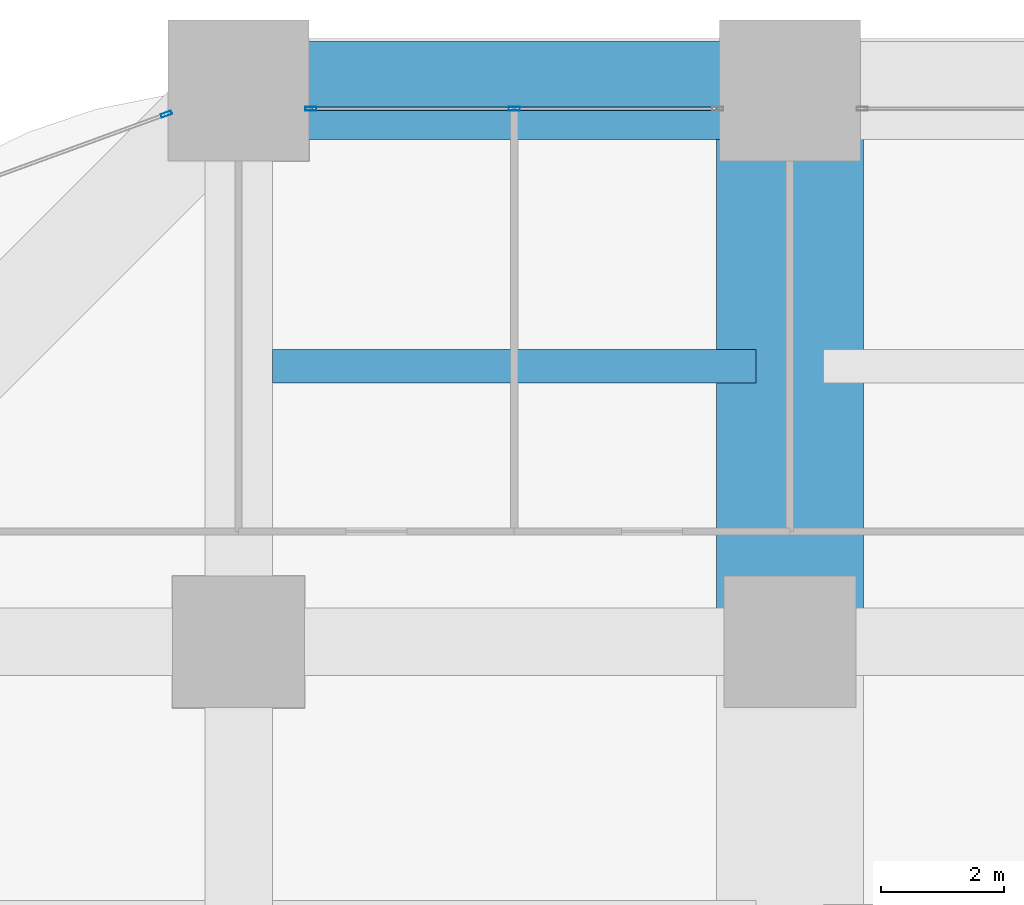
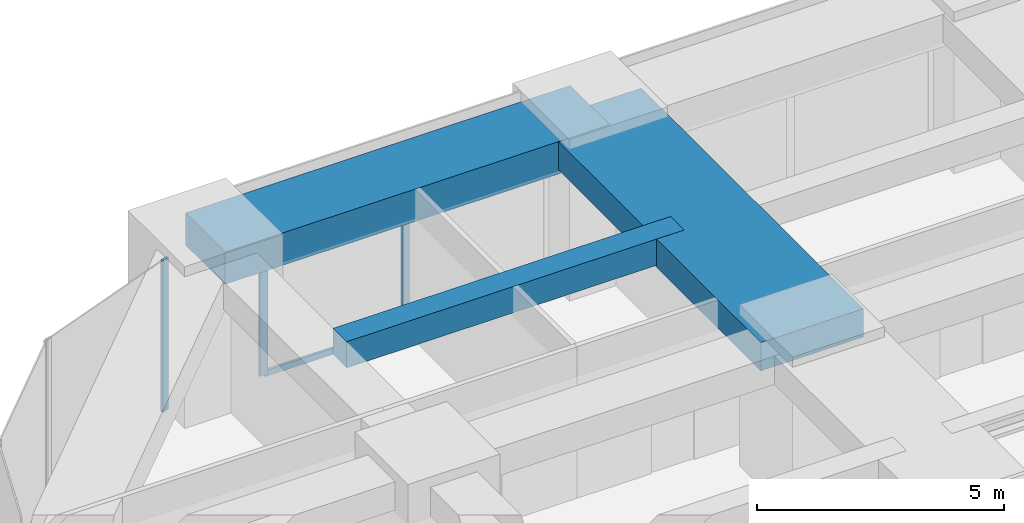
# One storey, part 28 of 43: 4 members, 3 beams, 2 elements without a shape of their own.
"""IFC4 building model written with IfcOpenShell, lengths in metres."""

from ifc_helpers import new_model, si_unit, direction, frame, origin, origin_2d, place, context, subcontext, project, spatial, rectangle, hollow_rectangle, extrude, material, material_profile, profile_set, type_object, element, aggregate, save


model = new_model("IFC4")

# Units and contexts
model_context = context("Model", 3, precision=1e-05, world=origin(), true_north=direction((0.0, 1.0)))
body_context = subcontext(model_context, "Body", "Model", "MODEL_VIEW")
ifc_project = project(units=[si_unit("LENGTHUNIT", "METRE"), si_unit("AREAUNIT", "SQUARE_METRE"), si_unit("VOLUMEUNIT", "CUBIC_METRE"), si_unit("PLANEANGLEUNIT", "RADIAN"), si_unit("MASSUNIT", "GRAM", prefix="KILO")], contexts=[model_context])

# Site, building, storey
site_placement = place(None, origin())
site = spatial("IfcSite", under=ifc_project, at=site_placement, CompositionType="ELEMENT")
building_placement = place(site_placement, origin())
building = spatial("IfcBuilding", under=site, at=building_placement, Name="Zorevar Civic Tower", CompositionType="ELEMENT")
storey_placement = place(building_placement, frame((0.0, 0.0, 67.800048828125)))
storey = spatial("IfcBuildingStorey", under=building, at=storey_placement, Name="L16", CompositionType="ELEMENT", Elevation=67.800048828125)

# Beams
ifc_material_1 = material(Name="Concrete C50/60", Category="concrete")
ifc_material_profile_1 = material_profile(ifc_material_1, rectangle(XDim=2.39990234375, YDim=0.699951171875, at=origin_2d()), Name="RC 2400x700")
ifc_profile_set_1 = profile_set([ifc_material_profile_1], Name="Concrete C50/60")
beam_type_1 = type_object("IfcBeamType", Name="Beam RC 2400x700", PredefinedType="BEAM", material=ifc_profile_set_1)
beam_1_placement = place(storey_placement, frame((18.0, 45.0, 3.39990234375), z_axis=(0.0, 1.0, 0.0), x_axis=(-1.0, 0.0, 0.0)))
element("IfcBeam", 1, at=beam_1_placement, inside=storey, type_object=beam_type_1, Name="Girder L17", PredefinedType="BEAM", context=body_context, shape_type="SweptSolid", body=[
    extrude(rectangle(XDim=2.39990234375, YDim=0.699951171875, at=origin_2d()), origin(), (0.0, 0.0, 1.0), 9.0),
])
ifc_material_2 = material(Name="Concrete C50/60", Category="concrete")
ifc_material_profile_2 = material_profile(ifc_material_2, rectangle(XDim=0.550048828125, YDim=0.64990234375, at=origin_2d()), Name="RC 550x650")
ifc_profile_set_2 = profile_set([ifc_material_profile_2], Name="Concrete C50/60")
beam_type_2 = type_object("IfcBeamType", Name="Beam RC 550x650", PredefinedType="BEAM", material=ifc_profile_set_2)
beam_2_placement = place(storey_placement, frame((9.550048828125, 49.5, 3.425048828125), z_axis=(1.0, 0.0, 0.0), x_axis=(0.0, 1.0, 0.0)))
element("IfcBeam", 2, at=beam_2_placement, inside=storey, type_object=beam_type_2, Name="Secondary beam L17", PredefinedType="BEAM", context=body_context, shape_type="SweptSolid", body=[
    extrude(rectangle(XDim=0.550048828125, YDim=0.64990234375, at=origin_2d()), origin(), (0.0, 0.0, 1.0), 7.89990234375),
])

# Curtain wall, members
ifc_material_3 = material(Name="Dark grey solar-control glass in black aluminium frame", Category="aluminium")
curtain_wall_type = type_object("IfcCurtainWallType", Name="Curtain wall CW2 low zone", PredefinedType="NOTDEFINED", material=ifc_material_3)
curtain_wall_1_placement = place(storey_placement, origin())
curtain_wall_1 = element("IfcCurtainWall", 3, at=curtain_wall_1_placement, inside=storey, type_object=curtain_wall_type, Name="CW2 L16", PredefinedType="NOTDEFINED")
ifc_material_4 = material(Name="Aluminium, black anodised", Category="aluminium")
ifc_material_profile_3 = material_profile(ifc_material_4, hollow_rectangle(XDim=0.06005859375, YDim=0.179931640625, WallThickness=0.00390625, at=origin_2d()), Name="AL 180x60x4")
ifc_profile_set_3 = profile_set([ifc_material_profile_3], Name="Aluminium, black anodised")
member_type_1 = type_object("IfcMemberType", Name="CW2 mullion AL 180x60x4", PredefinedType="MULLION", material=ifc_profile_set_3)
member_1_placement = place(storey_placement, frame((10.179931640625, 53.699951171875, 0.0), z_axis=(0.0, 0.0, 1.0), x_axis=(0.0, 1.0, 0.0)))
member_1 = element("IfcMember", 4, at=member_1_placement, type_object=member_type_1, Name="CW2 mullion 1", PredefinedType="MULLION", context=body_context, shape_type="SweptSolid", body=[
    extrude(hollow_rectangle(XDim=0.06005859375, YDim=0.179931640625, WallThickness=0.00390625, at=origin_2d()), origin(), (0.0, 0.0, 1.0), 2.949951171875),
])
member_2_placement = place(storey_placement, frame((13.5, 53.699951171875, 0.06005859375), z_axis=(0.0, 0.0, 1.0), x_axis=(0.0, 1.0, 0.0)))
member_2 = element("IfcMember", 5, at=member_2_placement, type_object=member_type_1, Name="CW2 mullion 2", PredefinedType="MULLION", context=body_context, shape_type="SweptSolid", body=[
    extrude(hollow_rectangle(XDim=0.06005859375, YDim=0.179931640625, WallThickness=0.00390625, at=origin_2d()), origin(), (0.0, 0.0, 1.0), 2.889892578125),
])

# Curtain wall, member
curtain_wall_2_placement = place(storey_placement, origin())
curtain_wall_2 = element("IfcCurtainWall", 6, at=curtain_wall_2_placement, inside=storey, type_object=curtain_wall_type, Name="CW2 L16", PredefinedType="NOTDEFINED")
member_3_placement = place(storey_placement, frame((7.82177734375, 53.61328125, 0.0), z_axis=(0.0, 0.0, 1.0), x_axis=(0.343060400701, -0.939313345732, 0.0)))
member_3 = element("IfcMember", 7, at=member_3_placement, type_object=member_type_1, Name="CW2 mullion 1", PredefinedType="MULLION", context=body_context, shape_type="SweptSolid", body=[
    extrude(hollow_rectangle(XDim=0.06005859375, YDim=0.179931640625, WallThickness=0.00390625, at=origin_2d()), origin(), (0.0, 0.0, 1.0), 3.75),
])
aggregate(curtain_wall_2, [member_3])

# Member
ifc_material_5 = material(Name="Aluminium, black anodised", Category="aluminium")
ifc_material_profile_4 = material_profile(ifc_material_5, hollow_rectangle(XDim=0.06005859375, YDim=0.14990234375, WallThickness=0.00390625, at=origin_2d()), Name="AL 150x60x4")
ifc_profile_set_4 = profile_set([ifc_material_profile_4], Name="Aluminium, black anodised")
member_type_2 = type_object("IfcMemberType", Name="CW2 transom AL 150x60x4", PredefinedType="USERDEFINED", material=ifc_profile_set_4)
member_4_placement = place(storey_placement, frame((10.2099609375, 53.699951171875, 0.030029296875), z_axis=(1.0, 0.0, 0.0), x_axis=(0.0, 1.0, 0.0)))
member_4 = element("IfcMember", 8, at=member_4_placement, type_object=member_type_2, Name="CW2 sill transom", ObjectType="TRANSOM", PredefinedType="USERDEFINED", context=body_context, shape_type="SweptSolid", body=[
    extrude(hollow_rectangle(XDim=0.06005859375, YDim=0.14990234375, WallThickness=0.00390625, at=origin_2d()), origin(), (0.0, 0.0, 1.0), 6.580078125),
])

aggregate(curtain_wall_1, [member_1, member_2, member_4])

# Beam
ifc_material_6 = material(Name="Concrete C50/60", Category="concrete")
ifc_material_profile_5 = material_profile(ifc_material_6, rectangle(XDim=1.60009765625, YDim=0.800048828125, at=origin_2d()), Name="RC 1600x800")
ifc_profile_set_5 = profile_set([ifc_material_profile_5], Name="Concrete C50/60")
beam_type_3 = type_object("IfcBeamType", Name="Edge beam RC 1600x800", PredefinedType="SPANDREL", material=ifc_profile_set_5)
beam_3_placement = place(storey_placement, frame((9.0, 54.0, 3.349853515625), z_axis=(1.0, 0.0, 0.0), x_axis=(0.0, 1.0, 0.0)))
element("IfcBeam", 9, at=beam_3_placement, inside=storey, type_object=beam_type_3, Name="Edge beam L17", PredefinedType="SPANDREL", context=body_context, shape_type="SweptSolid", body=[
    extrude(rectangle(XDim=1.60009765625, YDim=0.800048828125, at=origin_2d()), origin(), (0.0, 0.0, 1.0), 9.0),
])

save(model, "model.ifc")
